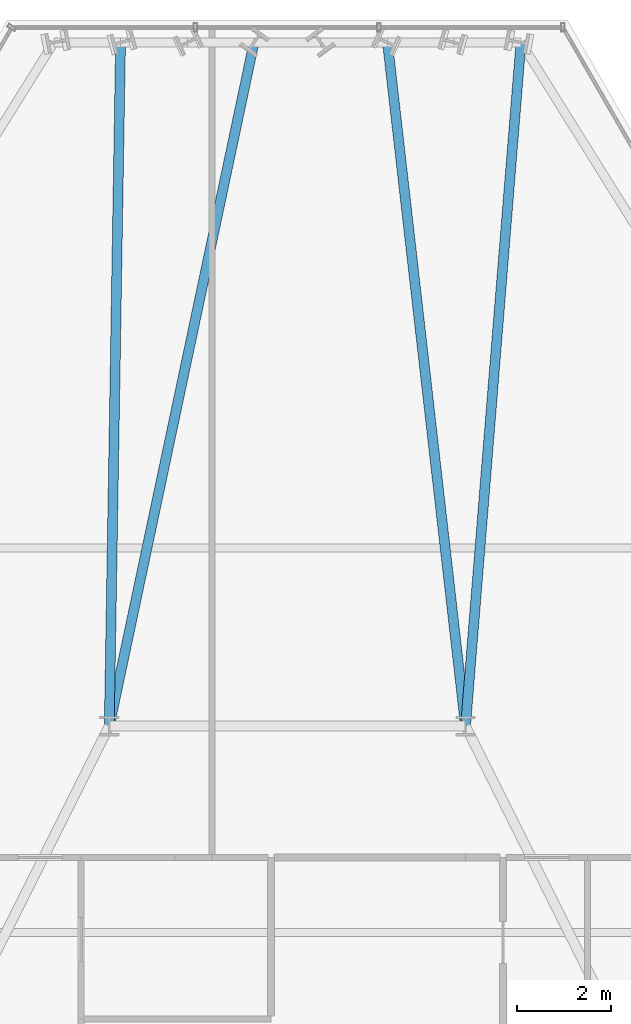
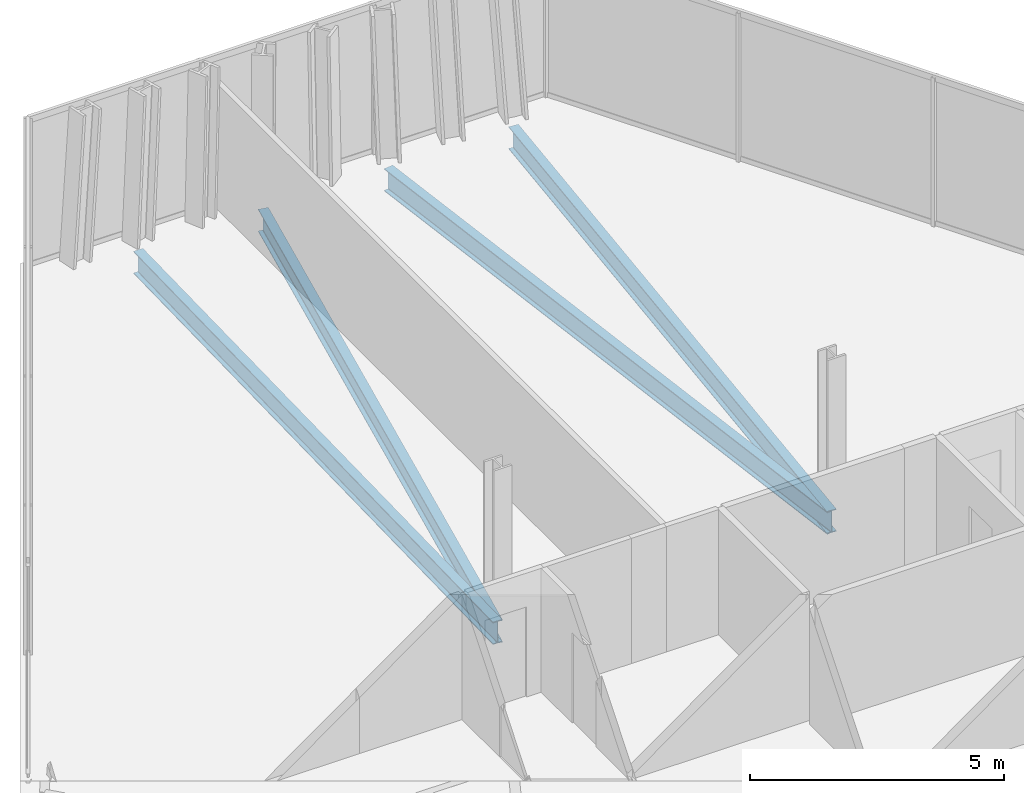
# One storey, part 21 of 31: 4 beams.
"""IFC4 building model written with IfcOpenShell, lengths in metres."""

from ifc_helpers import new_model, si_unit, direction, frame, origin, origin_2d, place, context, subcontext, project, spatial, i_section, extrude, material, material_profile, profile_set, type_object, element, save


model = new_model("IFC4")

# Units and contexts
model_context = context("Model", 3, precision=1e-05, world=origin(), true_north=direction((0.0, 1.0)))
body_context = subcontext(model_context, "Body", "Model", "MODEL_VIEW")
ifc_project = project(units=[si_unit("LENGTHUNIT", "METRE"), si_unit("AREAUNIT", "SQUARE_METRE"), si_unit("VOLUMEUNIT", "CUBIC_METRE"), si_unit("PLANEANGLEUNIT", "RADIAN"), si_unit("MASSUNIT", "GRAM", prefix="KILO")], contexts=[model_context])

# Site, building, storey
site_placement = place(None, origin())
site = spatial("IfcSite", under=ifc_project, at=site_placement, CompositionType="ELEMENT")
building_placement = place(site_placement, origin())
building = spatial("IfcBuilding", under=site, at=building_placement, Name="Ndaravel Arena Tower", CompositionType="ELEMENT")
storey_placement = place(building_placement, frame((0.0, 0.0, 146.0)))
storey = spatial("IfcBuildingStorey", under=building, at=storey_placement, Name="L34", CompositionType="ELEMENT", Elevation=146.0)

# Beams
ifc_material = material(Name="Steel S355", Category="steel")
ifc_material_profile = material_profile(ifc_material, i_section(OverallWidth=0.210693359375, OverallDepth=0.53955078125, WebThickness=0.01171875, FlangeThickness=0.018798828125, FilletRadius=0.0126953125, at=origin_2d()), Name="UB 533x210x109")
ifc_profile_set = profile_set([ifc_material_profile], Name="Steel S355")
beam_type = type_object("IfcBeamType", Name="BM-GIRD-UB533", PredefinedType="BEAM", material=ifc_profile_set)
beam_1_placement = place(storey_placement, frame((46.98291015625, 45.784912109375, -0.48974609375), z_axis=(-0.080836028085, -0.99672741337, 0.0), x_axis=(0.99672741337, -0.080836028085, 0.0)))
element("IfcBeam", 1, at=beam_1_placement, inside=storey, type_object=beam_type, Name="L34 Radial Floor Girder FG-11", PredefinedType="BEAM", context=body_context, shape_type="SweptSolid", body=[
    extrude(i_section(OverallWidth=0.210693359375, OverallDepth=0.53955078125, WebThickness=0.01171875, FlangeThickness=0.018798828125, FilletRadius=0.0126953125, at=origin_2d()), origin(), (0.0, 0.0, 1.0), 14.6328125),
])
beam_2_placement = place(storey_placement, frame((44.135498046875, 45.784912109375, -0.48974609375), z_axis=(0.113391802646, -0.993550350557, 0.0), x_axis=(0.993550350557, 0.113391802646, 0.0)))
element("IfcBeam", 2, at=beam_2_placement, inside=storey, type_object=beam_type, Name="L34 Radial Floor Girder FG-13", PredefinedType="BEAM", context=body_context, shape_type="SweptSolid", body=[
    extrude(i_section(OverallWidth=0.210693359375, OverallDepth=0.53955078125, WebThickness=0.01171875, FlangeThickness=0.018798828125, FilletRadius=0.0126953125, at=origin_2d()), origin(), (0.0, 0.0, 1.0), 14.6796875),
])
beam_3_placement = place(storey_placement, frame((41.2880859375, 45.784912109375, -0.48974609375), z_axis=(-0.207141861115, -0.978310916516, 0.0), x_axis=(0.978310916516, -0.207141861115, 0.0)))
element("IfcBeam", 3, at=beam_3_placement, inside=storey, type_object=beam_type, Name="L34 Radial Floor Girder FG-15", PredefinedType="BEAM", context=body_context, shape_type="SweptSolid", body=[
    extrude(i_section(OverallWidth=0.210693359375, OverallDepth=0.53955078125, WebThickness=0.01171875, FlangeThickness=0.018798828125, FilletRadius=0.0126953125, at=origin_2d()), origin(), (0.0, 0.0, 1.0), 14.908203125),
])
beam_4_placement = place(storey_placement, frame((38.44091796875, 45.784912109375, -0.48974609375), z_axis=(-0.016519339141, -0.999863546407, 0.0), x_axis=(0.999863546407, -0.016519339141, 0.0)))
element("IfcBeam", 4, at=beam_4_placement, inside=storey, type_object=beam_type, Name="L34 Radial Floor Girder FG-17", PredefinedType="BEAM", context=body_context, shape_type="SweptSolid", body=[
    extrude(i_section(OverallWidth=0.210693359375, OverallDepth=0.53955078125, WebThickness=0.01171875, FlangeThickness=0.018798828125, FilletRadius=0.0126953125, at=origin_2d()), origin(), (0.0, 0.0, 1.0), 14.5869140625),
])

save(model, "model.ifc")
